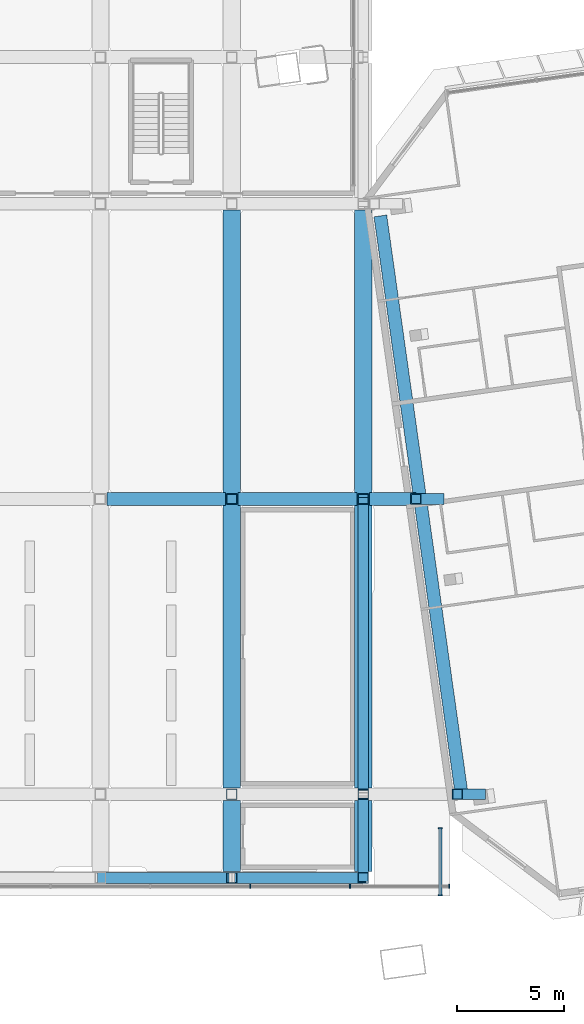
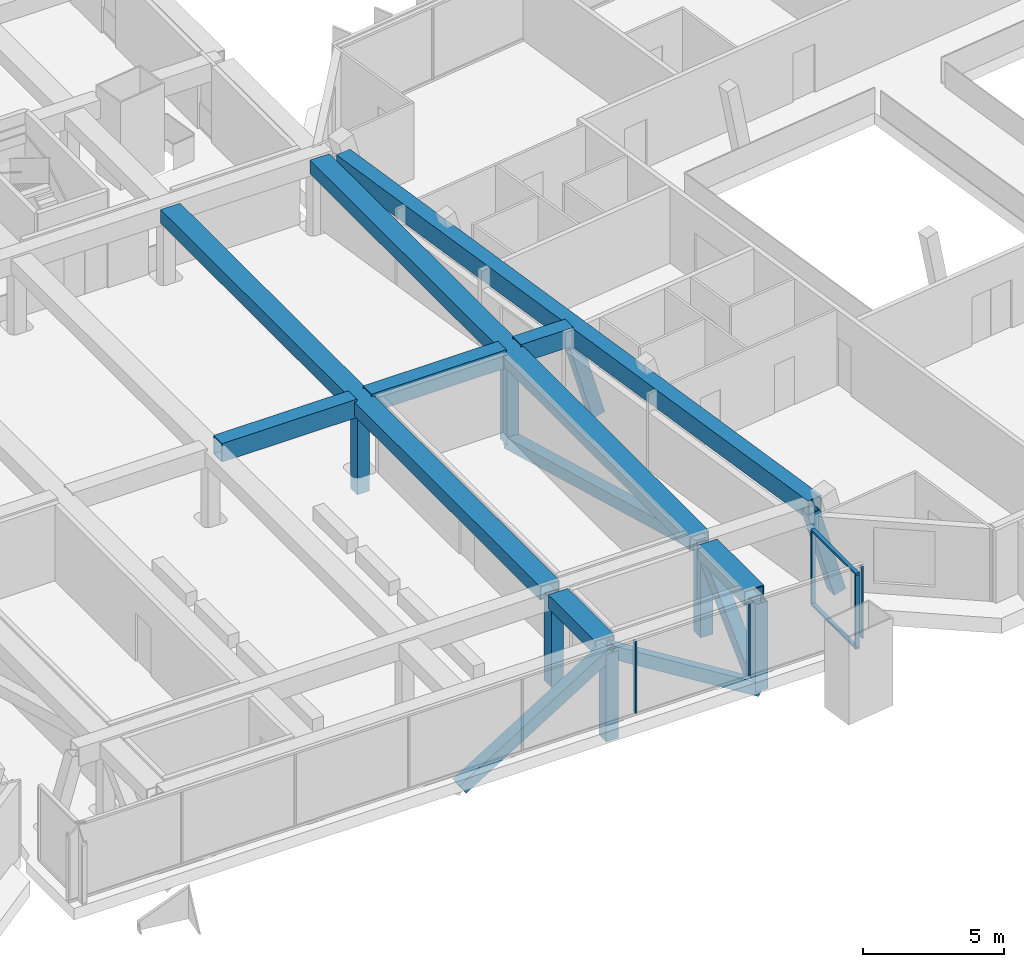
# One storey, part 7 of 25: 26 members, 1 beam, 2 elements without a shape of their own.
"""IFC4 building model written with IfcOpenShell, lengths in metres."""

from ifc_helpers import new_model, si_unit, direction, frame, origin, origin_2d, place, context, subcontext, project, spatial, rectangle, hollow_rectangle, extrude, material, material_profile, profile_set, type_object, element, aggregate, save


model = new_model("IFC4")

# Units and contexts
model_context = context("Model", 3, precision=1e-05, world=origin(), true_north=direction((0.0, 1.0)))
body_context = subcontext(model_context, "Body", "Model", "MODEL_VIEW")
ifc_project = project(units=[si_unit("LENGTHUNIT", "METRE"), si_unit("AREAUNIT", "SQUARE_METRE"), si_unit("VOLUMEUNIT", "CUBIC_METRE"), si_unit("PLANEANGLEUNIT", "RADIAN"), si_unit("MASSUNIT", "GRAM", prefix="KILO")], contexts=[model_context])

# Site, building, storey
site_placement = place(None, origin())
site = spatial("IfcSite", under=ifc_project, at=site_placement, CompositionType="ELEMENT")
building_placement = place(site_placement, origin())
building = spatial("IfcBuilding", under=site, at=building_placement, Name="Mirante Cascada Hotel Towers", CompositionType="ELEMENT")
storey_placement = place(building_placement, frame((0.0, 0.0, 266.0)))
storey = spatial("IfcBuildingStorey", under=building, at=storey_placement, Name="L64", CompositionType="ELEMENT", Elevation=266.0)

# Beam
ifc_material_1 = material(Name="Steel ASTM A572 Gr 50", Category="steel")
ifc_material_profile_1 = material_profile(ifc_material_1, hollow_rectangle(XDim=0.6, YDim=0.8, WallThickness=0.04, at=origin_2d()), Name="Box beam 800x600x40 ASTM A572 Gr 50")
ifc_profile_set_1 = profile_set([ifc_material_profile_1], Name="Steel ASTM A572 Gr 50")
beam_type = type_object("IfcBeamType", Name="Box beam 800x600x40 ASTM A572 Gr 50", PredefinedType="BEAM", material=ifc_profile_set_1)
beam_placement = place(storey_placement, frame((16.834, -17.579, 2.9), z_axis=(-0.1391724, 0.9902682, 0.0), x_axis=(-0.9902682, -0.1391724, 0.0)))
element("IfcBeam", 1, at=beam_placement, inside=storey, type_object=beam_type, Name="Deck end beam T2 Roof garden", PredefinedType="BEAM", context=body_context, shape_type="SweptSolid", body=[
    extrude(hollow_rectangle(XDim=0.6, YDim=0.8, WallThickness=0.04, at=origin_2d()), origin(), (0.0, 0.0, 1.0), 27.19),
])

# Members
ifc_material_2 = material(Name="Steel ASTM A572 Gr 50", Category="steel")
ifc_material_profile_2 = material_profile(ifc_material_2, hollow_rectangle(XDim=0.6, YDim=0.8, WallThickness=0.04, at=origin_2d()), Name="Box chord 800x600x40 ASTM A572 Gr 50")
ifc_profile_set_2 = profile_set([ifc_material_profile_2], Name="Steel ASTM A572 Gr 50")
member_type_1 = type_object("IfcMemberType", Name="Box chord 800x600x40 ASTM A572 Gr 50", PredefinedType="CHORD", material=ifc_profile_set_2)
member_1_placement = place(storey_placement, frame((6.1257, -21.2153, 2.9), z_axis=(0.0, 1.0, 0.0), x_axis=(0.0, 0.0, 1.0)))
element("IfcMember", 2, at=member_1_placement, inside=storey, type_object=member_type_1, Name="dchord sky park Roof garden 13", PredefinedType="CHORD", context=body_context, shape_type="SweptSolid", body=[
    extrude(hollow_rectangle(XDim=0.6, YDim=0.8, WallThickness=0.04, at=origin_2d()), origin(), (0.0, 0.0, 1.0), 3.3),
])
member_2_placement = place(storey_placement, frame((6.1257, -17.3153, 2.9), z_axis=(0.0, 1.0, 0.0), x_axis=(0.0, 0.0, 1.0)))
element("IfcMember", 3, at=member_2_placement, inside=storey, type_object=member_type_1, Name="dchord sky park Roof garden 14", PredefinedType="CHORD", context=body_context, shape_type="SweptSolid", body=[
    extrude(hollow_rectangle(XDim=0.6, YDim=0.8, WallThickness=0.04, at=origin_2d()), origin(), (0.0, 0.0, 1.0), 26.9295),
])
member_3_placement = place(storey_placement, frame((12.2514, -21.2153, 2.9), z_axis=(0.0, 1.0, 0.0), x_axis=(0.0, 0.0, 1.0)))
element("IfcMember", 4, at=member_3_placement, inside=storey, type_object=member_type_1, Name="dchord sky park Roof garden 17", PredefinedType="CHORD", context=body_context, shape_type="SweptSolid", body=[
    extrude(hollow_rectangle(XDim=0.6, YDim=0.8, WallThickness=0.04, at=origin_2d()), origin(), (0.0, 0.0, 1.0), 3.3),
])
member_4_placement = place(storey_placement, frame((12.2514, -17.3153, 2.9), z_axis=(0.0, 1.0, 0.0), x_axis=(0.0, 0.0, 1.0)))
element("IfcMember", 5, at=member_4_placement, inside=storey, type_object=member_type_1, Name="dchord sky park Roof garden 18", PredefinedType="CHORD", context=body_context, shape_type="SweptSolid", body=[
    extrude(hollow_rectangle(XDim=0.6, YDim=0.8, WallThickness=0.04, at=origin_2d()), origin(), (0.0, 0.0, 1.0), 26.9295),
])
for number, where, z_axis, x_axis, name in (
    (6, (0.3, -3.8505, 2.9), (1.0, 0.0, 0.0), (0.0, 1.0, 0.0), "dchord sky park Roof garden 24"),
    (7, (6.4257, -3.8505, 2.9), (1.0, 0.0, 0.0), (0.0, 1.0, 0.0), "dchord sky park Roof garden 25"),
):
    element("IfcMember", number, at=place(storey_placement, frame(where, z_axis=z_axis, x_axis=x_axis)), inside=storey, type_object=member_type_1, Name=name, PredefinedType="CHORD", context=body_context, shape_type="SweptSolid", body=[
        extrude(hollow_rectangle(XDim=0.6, YDim=0.8, WallThickness=0.04, at=origin_2d()), origin(), (0.0, 0.0, 1.0), 5.5257),
    ])
member_5_placement = place(storey_placement, frame((12.5514, -3.8505, 2.9), z_axis=(1.0, 0.0, 0.0), x_axis=(0.0, 1.0, 0.0)))
element("IfcMember", 8, at=member_5_placement, inside=storey, type_object=member_type_1, Name="dchord sky park Roof garden 26", PredefinedType="CHORD", context=body_context, shape_type="SweptSolid", body=[
    extrude(hollow_rectangle(XDim=0.6, YDim=0.8, WallThickness=0.04, at=origin_2d()), origin(), (0.0, 0.0, 1.0), 2.1512),
])
ifc_material_3 = material(Name="Steel ASTM A572 Gr 50", Category="steel")
ifc_material_profile_3 = material_profile(ifc_material_3, hollow_rectangle(XDim=0.5, YDim=0.5, WallThickness=0.03, at=origin_2d()), Name="Box diagonal 500x500x30 ASTM A572 Gr 50")
ifc_profile_set_3 = profile_set([ifc_material_profile_3], Name="Steel ASTM A572 Gr 50")
member_type_2 = type_object("IfcMemberType", Name="Box diagonal 500x500x30 ASTM A572 Gr 50", PredefinedType="BRACE", material=ifc_profile_set_3)
member_6_placement = place(storey_placement, frame((12.2514, -21.5153, -0.9), z_axis=(0.0, 0.7162296, 0.6978647), x_axis=(-1.0, 0.0, 0.0)))
element("IfcMember", 9, at=member_6_placement, inside=storey, type_object=member_type_2, Name="ddiag sky park L64 6", PredefinedType="BRACE", context=body_context, shape_type="SweptSolid", body=[
    extrude(hollow_rectangle(XDim=0.5, YDim=0.5, WallThickness=0.03, at=origin_2d()), origin(), (0.0, 0.0, 1.0), 5.4452),
])
member_7_placement = place(storey_placement, frame((12.2514, -3.8505, -0.9), z_axis=(0.0, -0.9639421, 0.2661121), x_axis=(1.0, 0.0, 0.0)))
element("IfcMember", 10, at=member_7_placement, inside=storey, type_object=member_type_2, Name="ddiag sky park L64 7", PredefinedType="BRACE", context=body_context, shape_type="SweptSolid", body=[
    extrude(hollow_rectangle(XDim=0.5, YDim=0.5, WallThickness=0.03, at=origin_2d()), origin(), (0.0, 0.0, 1.0), 14.2797),
])
for number, where, z_axis, x_axis, name in (
    (11, (0.0, -21.5153, -0.9), (0.8497743, 0.0, 0.5271467), (0.0, 1.0, 0.0), "ddiag sky park L64 17"),
    (12, (12.2514, -21.5153, -0.9), (-0.8497743, 0.0, 0.5271467), (0.0, -1.0, 0.0), "ddiag sky park L64 18"),
):
    element("IfcMember", number, at=place(storey_placement, frame(where, z_axis=z_axis, x_axis=x_axis)), inside=storey, type_object=member_type_2, Name=name, PredefinedType="BRACE", context=body_context, shape_type="SweptSolid", body=[
        extrude(hollow_rectangle(XDim=0.5, YDim=0.5, WallThickness=0.03, at=origin_2d()), origin(), (0.0, 0.0, 1.0), 7.2086),
    ])
ifc_material_4 = material(Name="Steel ASTM A572 Gr 50", Category="steel")
ifc_material_profile_4 = material_profile(ifc_material_4, hollow_rectangle(XDim=0.5, YDim=0.5, WallThickness=0.03, at=origin_2d()), Name="Box post 500x500x30 ASTM A572 Gr 50")
ifc_profile_set_4 = profile_set([ifc_material_profile_4], Name="Steel ASTM A572 Gr 50")
member_type_3 = type_object("IfcMemberType", Name="Box post 500x500x30 ASTM A572 Gr 50", PredefinedType="POST", material=ifc_profile_set_4)
for number, where, z_axis, x_axis, name in (
    (13, (6.1257, -21.5153, -0.9), (0.0, 0.0, 1.0), (1.0, 0.0, 0.0), "dpost sky park L64 22"),
    (14, (6.1257, -17.6153, -0.9), (0.0, 0.0, 1.0), (1.0, 0.0, 0.0), "dpost sky park L64 23"),
    (15, (6.1257, -3.8505, -0.9), (0.0, 0.0, 1.0), (1.0, 0.0, 0.0), "dpost sky park L64 24"),
    (16, (12.2514, -21.5153, -0.9), (0.0, 0.0, 1.0), (1.0, 0.0, 0.0), "dpost sky park L64 29"),
    (17, (12.2514, -17.6153, -0.9), (0.0, 0.0, 1.0), (1.0, 0.0, 0.0), "dpost sky park L64 30"),
    (18, (12.2514, -3.8505, -0.9), (0.0, 0.0, 1.0), (1.0, 0.0, 0.0), "dpost sky park L64 31"),
):
    element("IfcMember", number, at=place(storey_placement, frame(where, z_axis=z_axis, x_axis=x_axis)), inside=storey, type_object=member_type_3, Name=name, PredefinedType="POST", context=body_context, shape_type="SweptSolid", body=[
        extrude(hollow_rectangle(XDim=0.5, YDim=0.5, WallThickness=0.03, at=origin_2d()), origin(), (0.0, 0.0, 1.0), 3.8),
    ])
for number, where, z_axis, x_axis, name in (
    (19, (17.7112, -17.6153, -0.9), (-0.2719774, 0.0, 0.9623036), (0.0, -1.0, 0.0), "dpost sky park L64 37"),
    (20, (15.7766, -3.8505, -0.9), (-0.2719774, 0.0, 0.9623036), (0.0, -1.0, 0.0), "dpost sky park L64 39"),
):
    element("IfcMember", number, at=place(storey_placement, frame(where, z_axis=z_axis, x_axis=x_axis)), inside=storey, type_object=member_type_3, Name=name, PredefinedType="POST", context=body_context, shape_type="SweptSolid", body=[
        extrude(hollow_rectangle(XDim=0.5, YDim=0.5, WallThickness=0.03, at=origin_2d()), origin(), (0.0, 0.0, 1.0), 3.9489),
    ])

# Curtain wall, members
ifc_material_5 = material(Name="Aluminium mullion and transom frame with clear laminated glass", Category="aluminium")
curtain_wall_type = type_object("IfcCurtainWallType", Name="Sky park deck curtain wall ECW5", PredefinedType="NOTDEFINED", material=ifc_material_5)
curtain_wall_1_placement = place(storey_placement, origin())
curtain_wall_1 = element("IfcCurtainWall", 21, at=curtain_wall_1_placement, inside=storey, type_object=curtain_wall_type, Name="Sky park glazing L64 run 1", PredefinedType="NOTDEFINED")
ifc_material_6 = material(Name="Anodised aluminium extrusion", Category="aluminium")
ifc_material_profile_5 = material_profile(ifc_material_6, rectangle(XDim=0.18, YDim=0.06, at=origin_2d()), Name="ECW5 MULLION 60x180")
ifc_profile_set_5 = profile_set([ifc_material_profile_5], Name="Anodised aluminium extrusion")
member_type_4 = type_object("IfcMemberType", Name="ECW5 mullion 60x180", PredefinedType="MULLION", material=ifc_profile_set_5)
member_8_placement = place(storey_placement, frame((6.9803, -21.9019, 0.09), z_axis=(0.0, 0.0, 1.0), x_axis=(0.0, 1.0, 0.0)))
member_8 = element("IfcMember", 22, at=member_8_placement, type_object=member_type_4, Name="ECW5 mullion 6", PredefinedType="MULLION", context=body_context, shape_type="SweptSolid", body=[
    extrude(rectangle(XDim=0.18, YDim=0.06, at=origin_2d()), origin(), (0.0, 0.0, 1.0), 3.12),
])
member_9_placement = place(storey_placement, frame((11.6338, -21.9019, 0.09), z_axis=(0.0, 0.0, 1.0), x_axis=(0.0, 1.0, 0.0)))
member_9 = element("IfcMember", 23, at=member_9_placement, type_object=member_type_4, Name="ECW5 mullion 7", PredefinedType="MULLION", context=body_context, shape_type="SweptSolid", body=[
    extrude(rectangle(XDim=0.18, YDim=0.06, at=origin_2d()), origin(), (0.0, 0.0, 1.0), 3.12),
])
member_10_placement = place(storey_placement, frame((16.2574, -21.9019, 0.09), z_axis=(0.0, 0.0, 1.0), x_axis=(0.0, 1.0, 0.0)))
member_10 = element("IfcMember", 24, at=member_10_placement, type_object=member_type_4, Name="ECW5 mullion 8", PredefinedType="MULLION", context=body_context, shape_type="SweptSolid", body=[
    extrude(rectangle(XDim=0.18, YDim=0.06, at=origin_2d()), origin(), (0.0, 0.0, 1.0), 3.12),
])
aggregate(curtain_wall_1, [member_8, member_9, member_10])

curtain_wall_2_placement = place(storey_placement, origin())
curtain_wall_2 = element("IfcCurtainWall", 25, at=curtain_wall_2_placement, inside=storey, type_object=curtain_wall_type, Name="Sky park glazing L64 run 2", PredefinedType="NOTDEFINED")
member_11_placement = place(storey_placement, frame((15.8374, -22.3219, 0.09), z_axis=(0.0, 0.0, 1.0), x_axis=(-1.0, 0.0, 0.0)))
member_11 = element("IfcMember", 26, at=member_11_placement, type_object=member_type_4, Name="ECW5 mullion 1", PredefinedType="MULLION", context=body_context, shape_type="SweptSolid", body=[
    extrude(rectangle(XDim=0.18, YDim=0.06, at=origin_2d()), origin(), (0.0, 0.0, 1.0), 3.12),
])
member_12_placement = place(storey_placement, frame((15.8374, -19.1997, 0.09), z_axis=(0.0, 0.0, 1.0), x_axis=(-1.0, 0.0, 0.0)))
member_12 = element("IfcMember", 27, at=member_12_placement, type_object=member_type_4, Name="ECW5 mullion 2", PredefinedType="MULLION", context=body_context, shape_type="SweptSolid", body=[
    extrude(rectangle(XDim=0.18, YDim=0.06, at=origin_2d()), origin(), (0.0, 0.0, 1.0), 3.12),
])
ifc_material_7 = material(Name="Anodised aluminium extrusion", Category="aluminium")
ifc_material_profile_6 = material_profile(ifc_material_7, rectangle(XDim=0.15, YDim=0.09, at=origin_2d()), Name="ECW5 TRANSOM 90x150")
ifc_profile_set_6 = profile_set([ifc_material_profile_6], Name="Anodised aluminium extrusion")
member_type_5 = type_object("IfcMemberType", Name="ECW5 transom 90x150", PredefinedType="USERDEFINED", material=ifc_profile_set_6)
member_13_placement = place(storey_placement, frame((15.8374, -22.3519, 0.045), z_axis=(0.0, 1.0, 0.0), x_axis=(-1.0, 0.0, 0.0)))
member_13 = element("IfcMember", 28, at=member_13_placement, type_object=member_type_5, Name="ECW5 sill transom", ObjectType="TRANSOM", PredefinedType="USERDEFINED", context=body_context, shape_type="SweptSolid", body=[
    extrude(rectangle(XDim=0.15, YDim=0.09, at=origin_2d()), origin(), (0.0, 0.0, 1.0), 3.1822),
])
member_14_placement = place(storey_placement, frame((15.8374, -22.3519, 3.255), z_axis=(0.0, 1.0, 0.0), x_axis=(-1.0, 0.0, 0.0)))
member_14 = element("IfcMember", 29, at=member_14_placement, type_object=member_type_5, Name="ECW5 head transom", ObjectType="TRANSOM", PredefinedType="USERDEFINED", context=body_context, shape_type="SweptSolid", body=[
    extrude(rectangle(XDim=0.15, YDim=0.09, at=origin_2d()), origin(), (0.0, 0.0, 1.0), 3.1822),
])
aggregate(curtain_wall_2, [member_13, member_14, member_11, member_12])

save(model, "model.ifc")
